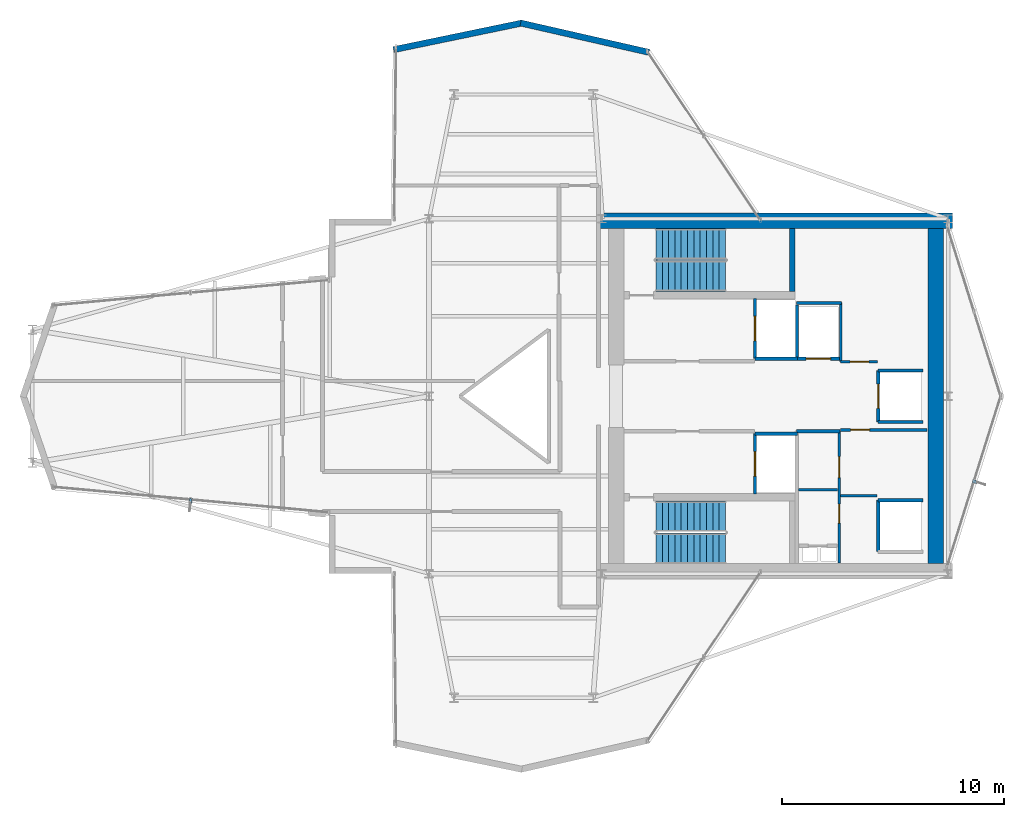
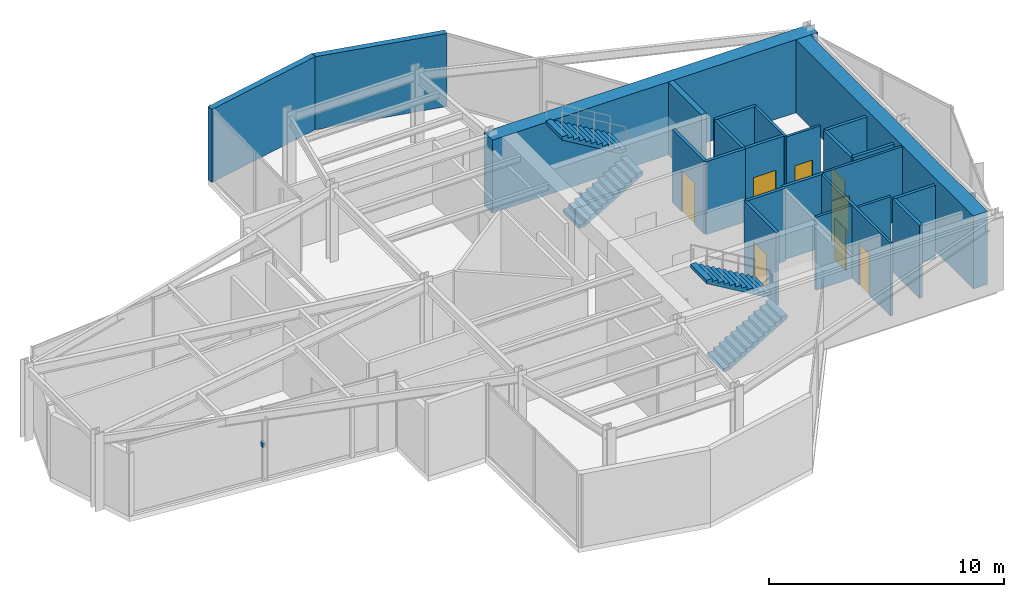
# One storey, part 21 of 22: 24 walls, 8 doors, 4 stair flights, 2 discrete accessories, 8 openings, 2 elements without a shape of their own.
"""IFC4 building model written with IfcOpenShell, lengths in metres."""

from ifc_helpers import new_model, si_unit, direction, frame, frame_2d, origin, origin_2d, place, context, subcontext, project, spatial, polyline, rectangle, outline, extrude, material, layer, layer_set, type_object, element, fill, aggregate, save


model = new_model("IFC4")

# Units and contexts
model_context = context("Model", 3, precision=1e-05, world=origin(), true_north=direction((0.0, 1.0)))
body_context = subcontext(model_context, "Body", "Model", "MODEL_VIEW")
ifc_project = project(units=[si_unit("LENGTHUNIT", "METRE"), si_unit("AREAUNIT", "SQUARE_METRE"), si_unit("VOLUMEUNIT", "CUBIC_METRE"), si_unit("PLANEANGLEUNIT", "RADIAN"), si_unit("MASSUNIT", "GRAM", prefix="KILO")], contexts=[model_context])

# Site, building, storey
site_placement = place(None, origin())
site = spatial("IfcSite", under=ifc_project, at=site_placement, CompositionType="ELEMENT")
building_placement = place(site_placement, origin())
building = spatial("IfcBuilding", under=site, at=building_placement, Name="Veymaron Broadcast Tower", CompositionType="ELEMENT")
storey_placement = place(building_placement, frame((0.0, 0.0, 204.0)))
storey = spatial("IfcBuildingStorey", under=building, at=storey_placement, Name="L47", CompositionType="ELEMENT", Elevation=204.0)

# Walls
ifc_material_1 = material(Name="Precast concrete C40/50", Category="concrete")
ifc_layer_1 = layer(ifc_material_1, 0.280029296875)
ifc_layer_set_1 = layer_set([ifc_layer_1], Name="Precast concrete C40/50")
wall_type_1 = type_object("IfcWallType", Name="WALL-EXT-280", PredefinedType="STANDARD", material=ifc_layer_set_1)
wall_1_placement = place(storey_placement, frame((41.11328125, 39.50341796875, 0.0), z_axis=(0.0, 0.0, 1.0), x_axis=(-0.974934808954, 0.222490715064, 0.0)))
element("IfcWall", 1, at=wall_1_placement, inside=storey, type_object=wall_type_1, Name="L47 notched corner facade pier 6-1", PredefinedType="STANDARD", context=body_context, shape_type="SweptSolid", body=[
    extrude(rectangle(XDim=5.93310546875, YDim=0.280029296875, at=frame_2d((2.966552734375, 0.0))), origin(), (0.0, 0.0, 1.0), 3.7900390625),
])
wall_2_placement = place(storey_placement, frame((35.388427734375, 40.822998046875, 0.0), z_axis=(0.0, 0.0, 1.0), x_axis=(-0.979145472124, -0.203160390873, 0.0)))
element("IfcWall", 2, at=wall_2_placement, inside=storey, type_object=wall_type_1, Name="L47 notched corner facade pier 7-1", PredefinedType="STANDARD", context=body_context, shape_type="SweptSolid", body=[
    extrude(rectangle(XDim=5.90771484375, YDim=0.280029296875, at=frame_2d((2.953857421875, 0.0))), origin(), (0.0, 0.0, 1.0), 3.7900390625),
])

# Wall, opening, door
ifc_material_2 = material(Name="Gypsum fireboard and steel stud framing", Category="steel")
ifc_layer_2 = layer(ifc_material_2, 0.14990234375)
ifc_layer_set_2 = layer_set([ifc_layer_2], Name="Gypsum fireboard and steel stud framing")
wall_type_2 = type_object("IfcWallType", Name="WALL-FIRE-150", PredefinedType="PARTITIONING", material=ifc_layer_set_2)
wall_3_placement = place(storey_placement, frame((45.89501953125, 25.68994140625, 0.0), z_axis=(0.0, 0.0, 1.0), x_axis=(0.0, 1.0, 0.0)))
wall_3 = element("IfcWall", 3, at=wall_3_placement, inside=storey, type_object=wall_type_2, Name="L47 partition IW-L47-SHW-FFL-1", PredefinedType="PARTITIONING", context=body_context, shape_type="SweptSolid", body=[
    extrude(rectangle(XDim=2.719970703125, YDim=0.14990234375, at=frame_2d((1.35986328125, 0.0))), origin(), (0.0, 0.0, 1.0), 3.7900390625),
])
opening_1_placement = place(wall_3_placement, frame((0.81005859375, 0.0, 0.0)))
opening_1 = element("IfcOpeningElement", 4, at=opening_1_placement, cuts=wall_3, Name="Opening LD", PredefinedType="OPENING", context=body_context, shape_type="SweptSolid", body=[
    extrude(rectangle(XDim=1.10009765625, YDim=2.14990234375, at=frame_2d((0.550048828125, 1.074951171875))), frame((0.0, 0.0849609375, 0.0), z_axis=(0.0, -1.0, 0.0), x_axis=(1.0, 0.0, 0.0)), (0.0, 0.0, 1.0), 0.169921875),
])
ifc_material_3 = material(Name="Brushed stainless steel AISI 304", Category="steel")
door_type_1 = type_object("IfcDoorType", Name="DOOR-LIFT-1100", OperationType="DOUBLE_DOOR_SLIDING", PredefinedType="DOOR", material=ifc_material_3)
door_1_placement = place(opening_1_placement, frame((1.10009765625, 0.0, 0.0), z_axis=(0.0, 0.0, 1.0), x_axis=(-1.0, 0.0, 0.0)))
door_1 = element("IfcDoor", 5, at=door_1_placement, inside=storey, type_object=door_type_1, Name="L47 door LD-L47-FFL-1", OperationType="DOUBLE_DOOR_SLIDING", OverallHeight=2.14990234375, OverallWidth=1.10009765625, PredefinedType="DOOR", context=body_context, shape_type="SweptSolid", body=[
    extrude(rectangle(XDim=1.10009765625, YDim=2.14990234375, at=frame_2d((0.550048828125, 1.074951171875))), frame((0.0, 0.02490234375, 0.0), z_axis=(0.0, -1.0, 0.0), x_axis=(1.0, 0.0, 0.0)), (0.0, 0.0, 1.0), 0.050048828125),
])
fill(opening_1, door_1)

# Wall
wall_4_placement = place(storey_placement, frame((45.89501953125, 25.68994140625, 0.0), z_axis=(0.0, 0.0, 1.0), x_axis=(1.0, 0.0, 0.0)))
element("IfcWall", 6, at=wall_4_placement, inside=storey, type_object=wall_type_2, Name="L47 partition IW-L47-SHS-FFL-1", PredefinedType="PARTITIONING", context=body_context, shape_type="SweptSolid", body=[
    extrude(rectangle(XDim=1.9150390625, YDim=0.14990234375, at=frame_2d((0.95751953125, 0.0))), origin(), (0.0, 0.0, 1.0), 3.7900390625),
])

# Wall, opening, door
wall_5_placement = place(storey_placement, frame((45.89501953125, 19.590087890625, 0.0), z_axis=(0.0, 0.0, 1.0), x_axis=(0.0, 1.0, 0.0)))
wall_5 = element("IfcWall", 7, at=wall_5_placement, inside=storey, type_object=wall_type_2, Name="L47 partition IW-L47-SHW-FFL-2", PredefinedType="PARTITIONING", context=body_context, shape_type="SweptSolid", body=[
    extrude(rectangle(XDim=2.719970703125, YDim=0.14990234375, at=frame_2d((1.35986328125, 0.0))), origin(), (0.0, 0.0, 1.0), 3.7900390625),
])
opening_2_placement = place(wall_5_placement, frame((0.81005859375, 0.0, 0.0)))
opening_2 = element("IfcOpeningElement", 8, at=opening_2_placement, cuts=wall_5, Name="Opening LD", PredefinedType="OPENING", context=body_context, shape_type="SweptSolid", body=[
    extrude(rectangle(XDim=1.10009765625, YDim=2.14990234375, at=frame_2d((0.550048828125, 1.074951171875))), frame((0.0, 0.0849609375, 0.0), z_axis=(0.0, -1.0, 0.0), x_axis=(1.0, 0.0, 0.0)), (0.0, 0.0, 1.0), 0.169921875),
])
door_2_placement = place(opening_2_placement, frame((1.10009765625, 0.0, 0.0), z_axis=(0.0, 0.0, 1.0), x_axis=(-1.0, 0.0, 0.0)))
door_2 = element("IfcDoor", 9, at=door_2_placement, inside=storey, type_object=door_type_1, Name="L47 door LD-L47-FFL-2", OperationType="DOUBLE_DOOR_SLIDING", OverallHeight=2.14990234375, OverallWidth=1.10009765625, PredefinedType="DOOR", context=body_context, shape_type="SweptSolid", body=[
    extrude(rectangle(XDim=1.10009765625, YDim=2.14990234375, at=frame_2d((0.550048828125, 1.074951171875))), frame((0.0, 0.02490234375, 0.0), z_axis=(0.0, -1.0, 0.0), x_axis=(1.0, 0.0, 0.0)), (0.0, 0.0, 1.0), 0.050048828125),
])
fill(opening_2, door_2)

# Wall
wall_6_placement = place(storey_placement, frame((45.89501953125, 22.31005859375, 0.0), z_axis=(0.0, 0.0, 1.0), x_axis=(1.0, 0.0, 0.0)))
element("IfcWall", 10, at=wall_6_placement, inside=storey, type_object=wall_type_2, Name="L47 partition IW-L47-SHN-FFL-2", PredefinedType="PARTITIONING", context=body_context, shape_type="SweptSolid", body=[
    extrude(rectangle(XDim=1.9150390625, YDim=0.14990234375, at=frame_2d((0.95751953125, 0.0))), origin(), (0.0, 0.0, 1.0), 3.7900390625),
])

# Wall, opening, door
wall_7_placement = place(storey_placement, frame((47.7900390625, 25.695068359375, 0.0), z_axis=(0.0, 0.0, 1.0), x_axis=(1.0, 0.0, 0.0)))
wall_7 = element("IfcWall", 11, at=wall_7_placement, inside=storey, type_object=wall_type_2, Name="L47 partition IW-L47-SHS-SL-1", PredefinedType="PARTITIONING", context=body_context, shape_type="SweptSolid", body=[
    extrude(rectangle(XDim=1.919921875, YDim=0.14990234375, at=frame_2d((0.9599609375, 0.0))), origin(), (0.0, 0.0, 1.0), 3.7900390625),
])
opening_3_placement = place(wall_7_placement, frame((0.409912109375, 0.0, 0.0)))
opening_3 = element("IfcOpeningElement", 12, at=opening_3_placement, cuts=wall_7, Name="Opening LD", PredefinedType="OPENING", context=body_context, shape_type="SweptSolid", body=[
    extrude(rectangle(XDim=1.10009765625, YDim=2.14990234375, at=frame_2d((0.550048828125, 1.074951171875))), frame((0.0, 0.0849609375, 0.0), z_axis=(0.0, -1.0, 0.0), x_axis=(1.0, 0.0, 0.0)), (0.0, 0.0, 1.0), 0.169921875),
])
door_3_placement = place(opening_3_placement, frame((1.10009765625, 0.0, 0.0), z_axis=(0.0, 0.0, 1.0), x_axis=(-1.0, 0.0, 0.0)))
door_3 = element("IfcDoor", 13, at=door_3_placement, inside=storey, type_object=door_type_1, Name="L47 door LD-L47-SL-1", OperationType="DOUBLE_DOOR_SLIDING", OverallHeight=2.14990234375, OverallWidth=1.10009765625, PredefinedType="DOOR", context=body_context, shape_type="SweptSolid", body=[
    extrude(rectangle(XDim=1.10009765625, YDim=2.14990234375, at=frame_2d((0.550048828125, 1.074951171875))), frame((0.0, 0.02490234375, 0.0), z_axis=(0.0, -1.0, 0.0), x_axis=(1.0, 0.0, 0.0)), (0.0, 0.0, 1.0), 0.050048828125),
])
fill(opening_3, door_3)

# Wall
wall_8_placement = place(storey_placement, frame((47.7900390625, 25.695068359375, 0.0), z_axis=(0.0, 0.0, 1.0), x_axis=(0.0, 1.0, 0.0)))
element("IfcWall", 14, at=wall_8_placement, inside=storey, type_object=wall_type_2, Name="L47 partition IW-L47-SHW-SL-1", PredefinedType="PARTITIONING", context=body_context, shape_type="SweptSolid", body=[
    extrude(rectangle(XDim=2.4150390625, YDim=0.14990234375, at=frame_2d((1.20751953125, 0.0))), origin(), (0.0, 0.0, 1.0), 3.7900390625),
])

# Wall, opening, door
wall_9_placement = place(storey_placement, frame((51.445068359375, 22.840087890625, 0.0), z_axis=(0.0, 0.0, 1.0), x_axis=(0.0, 1.0, 0.0)))
wall_9 = element("IfcWall", 15, at=wall_9_placement, inside=storey, type_object=wall_type_2, Name="L47 partition IW-L47-SHW-PM3", PredefinedType="PARTITIONING", context=body_context, shape_type="SweptSolid", body=[
    extrude(rectangle(XDim=2.31982421875, YDim=0.14990234375, at=frame_2d((1.159912109375, 0.0))), origin(), (0.0, 0.0, 1.0), 3.7900390625),
])
opening_4_placement = place(wall_9_placement, frame((0.610107421875, 0.0, 0.0)))
opening_4 = element("IfcOpeningElement", 16, at=opening_4_placement, cuts=wall_9, Name="Opening LD", PredefinedType="OPENING", context=body_context, shape_type="SweptSolid", body=[
    extrude(rectangle(XDim=1.10009765625, YDim=2.14990234375, at=frame_2d((0.550048828125, 1.074951171875))), frame((0.0, 0.0849609375, 0.0), z_axis=(0.0, -1.0, 0.0), x_axis=(1.0, 0.0, 0.0)), (0.0, 0.0, 1.0), 0.169921875),
])
door_4_placement = place(opening_4_placement, frame((1.10009765625, 0.0, 0.0), z_axis=(0.0, 0.0, 1.0), x_axis=(-1.0, 0.0, 0.0)))
door_4 = element("IfcDoor", 17, at=door_4_placement, inside=storey, type_object=door_type_1, Name="L47 door LD-L47-PM3", OperationType="DOUBLE_DOOR_SLIDING", OverallHeight=2.14990234375, OverallWidth=1.10009765625, PredefinedType="DOOR", context=body_context, shape_type="SweptSolid", body=[
    extrude(rectangle(XDim=1.10009765625, YDim=2.14990234375, at=frame_2d((0.550048828125, 1.074951171875))), frame((0.0, 0.02490234375, 0.0), z_axis=(0.0, -1.0, 0.0), x_axis=(1.0, 0.0, 0.0)), (0.0, 0.0, 1.0), 0.050048828125),
])
fill(opening_4, door_4)

# Walls
for number, where, z_axis, x_axis, name in (
    (18, (51.445068359375, 22.840087890625, 0.0), (0.0, 0.0, 1.0), (1.0, 0.0, 0.0), "L47 partition IW-L47-SHS-PM3"),
    (19, (51.445068359375, 25.159912109375, 0.0), (0.0, 0.0, 1.0), (1.0, 0.0, 0.0), "L47 partition IW-L47-SHN-PM3"),
):
    element("IfcWall", number, at=place(storey_placement, frame(where, z_axis=z_axis, x_axis=x_axis)), inside=storey, type_object=wall_type_2, Name=name, PredefinedType="PARTITIONING", context=body_context, shape_type="SweptSolid", body=[
        extrude(rectangle(XDim=2.014892578125, YDim=0.14990234375, at=frame_2d((1.00732421875, 0.0))), origin(), (0.0, 0.0, 1.0), 3.7900390625),
    ])
wall_10_placement = place(storey_placement, frame((51.445068359375, 16.989990234375, 0.0), z_axis=(0.0, 0.0, 1.0), x_axis=(0.0, 1.0, 0.0)))
element("IfcWall", 20, at=wall_10_placement, inside=storey, type_object=wall_type_2, Name="L47 partition IW-L47-SHW-PH1", PredefinedType="PARTITIONING", context=body_context, shape_type="SweptSolid", body=[
    extrude(rectangle(XDim=2.320068359375, YDim=0.14990234375, at=frame_2d((1.16015625, 0.0))), origin(), (0.0, 0.0, 1.0), 3.7900390625),
])
wall_11_placement = place(storey_placement, frame((51.445068359375, 19.31005859375, 0.0), z_axis=(0.0, 0.0, 1.0), x_axis=(1.0, 0.0, 0.0)))
element("IfcWall", 21, at=wall_11_placement, inside=storey, type_object=wall_type_2, Name="L47 partition IW-L47-SHN-PH1", PredefinedType="PARTITIONING", context=body_context, shape_type="SweptSolid", body=[
    extrude(rectangle(XDim=2.014892578125, YDim=0.14990234375, at=frame_2d((1.00732421875, 0.0))), origin(), (0.0, 0.0, 1.0), 3.7900390625),
])
wall_12_placement = place(storey_placement, frame((47.760009765625, 22.425048828125, 0.0), z_axis=(0.0, 0.0, 1.0), x_axis=(1.0, 0.0, 0.0)))
element("IfcWall", 22, at=wall_12_placement, inside=storey, type_object=wall_type_2, Name="L47 partition IW-L47-SM-N", PredefinedType="PARTITIONING", context=body_context, shape_type="SweptSolid", body=[
    extrude(rectangle(XDim=1.9599609375, YDim=0.14990234375, at=frame_2d((0.97998046875, 0.0))), origin(), (0.0, 0.0, 1.0), 3.7900390625),
])
wall_13_placement = place(storey_placement, frame((47.760009765625, 28.199951171875, 0.0), z_axis=(0.0, 0.0, 1.0), x_axis=(1.0, 0.0, 0.0)))
element("IfcWall", 23, at=wall_13_placement, inside=storey, type_object=wall_type_2, Name="L47 partition IW-L47-F2-SW", PredefinedType="PARTITIONING", context=body_context, shape_type="SweptSolid", body=[
    extrude(rectangle(XDim=2.0400390625, YDim=0.14990234375, at=frame_2d((1.02001953125, 0.0))), origin(), (0.0, 0.0, 1.0), 3.7900390625),
])
ifc_material_4 = material(Name="Acoustic gypsum board and galvanized stud", Category="gypsum")
ifc_layer_3 = layer(ifc_material_4, 0.1201171875)
ifc_layer_set_3 = layer_set([ifc_layer_3], Name="Acoustic gypsum board and galvanized stud")
wall_type_3 = type_object("IfcWallType", Name="WALL-PART-120", PredefinedType="PARTITIONING", material=ifc_layer_set_3)
wall_14_placement = place(storey_placement, frame((47.860107421875, 19.780029296875, 0.0), z_axis=(0.0, 0.0, 1.0), x_axis=(1.0, 0.0, 0.0)))
element("IfcWall", 24, at=wall_14_placement, inside=storey, type_object=wall_type_3, Name="L47 partition IW-L47-SM-DIV", PredefinedType="PARTITIONING", context=body_context, shape_type="SweptSolid", body=[
    extrude(rectangle(XDim=1.760009765625, YDim=0.1201171875, at=frame_2d((0.8798828125, 0.0))), origin(), (0.0, 0.0, 1.0), 3.7900390625),
])

# Wall, openings, doors
wall_15_placement = place(storey_placement, frame((49.699951171875, 16.47998046875, 0.0), z_axis=(0.0, 0.0, 1.0), x_axis=(0.0, 1.0, 0.0)))
wall_15 = element("IfcWall", 25, at=wall_15_placement, inside=storey, type_object=wall_type_3, Name="L47 partition IW-L47-SM-E", PredefinedType="PARTITIONING", context=body_context, shape_type="SweptSolid", body=[
    extrude(rectangle(XDim=5.945068359375, YDim=0.1201171875, at=frame_2d((2.97265625, 0.0))), origin(), (0.0, 0.0, 1.0), 3.7900390625),
])
opening_5_placement = place(wall_15_placement, frame((1.800048828125, 0.0, 0.0)))
opening_5 = element("IfcOpeningElement", 26, at=opening_5_placement, cuts=wall_15, Name="Opening ID-WC1", PredefinedType="OPENING", context=body_context, shape_type="SweptSolid", body=[
    extrude(rectangle(XDim=0.85009765625, YDim=2.14990234375, at=frame_2d((0.425048828125, 1.074951171875))), frame((0.0, 0.070068359375, 0.0), z_axis=(0.0, -1.0, 0.0), x_axis=(1.0, 0.0, 0.0)), (0.0, 0.0, 1.0), 0.14013671875),
])
opening_6_placement = place(wall_15_placement, frame((3.85009765625, 0.0, 0.0)))
opening_6 = element("IfcOpeningElement", 27, at=opening_6_placement, cuts=wall_15, Name="Opening ID-RM1", PredefinedType="OPENING", context=body_context, shape_type="SweptSolid", body=[
    extrude(rectangle(XDim=0.949951171875, YDim=2.14990234375, at=frame_2d((0.47509765625, 1.074951171875))), frame((0.0, 0.070068359375, 0.0), z_axis=(0.0, -1.0, 0.0), x_axis=(1.0, 0.0, 0.0)), (0.0, 0.0, 1.0), 0.14013671875),
])
ifc_material_5 = material(Name="Moisture-resistant high-pressure laminate timber", Category="wood")
door_type_2 = type_object("IfcDoorType", Name="DOOR-INT-850", OperationType="NOTDEFINED", PredefinedType="DOOR", material=ifc_material_5)
door_5_placement = place(opening_5_placement, frame((0.85009765625, 0.0, 0.0), z_axis=(0.0, 0.0, 1.0), x_axis=(-1.0, 0.0, 0.0)))
door_5 = element("IfcDoor", 28, at=door_5_placement, inside=storey, type_object=door_type_2, Name="L47 door DR-L47-SWC", OperationType="SINGLE_SWING_LEFT", OverallHeight=2.14990234375, OverallWidth=0.85009765625, PredefinedType="DOOR", context=body_context, shape_type="SweptSolid", body=[
    extrude(rectangle(XDim=0.85009765625, YDim=2.14990234375, at=frame_2d((0.425048828125, 1.074951171875))), frame((0.0, 0.02490234375, 0.0), z_axis=(0.0, -1.0, 0.0), x_axis=(1.0, 0.0, 0.0)), (0.0, 0.0, 1.0), 0.050048828125),
])
fill(opening_5, door_5)
ifc_material_6 = material(Name="Acoustic solid-core European oak veneer timber", Category="wood")
door_type_3 = type_object("IfcDoorType", Name="DOOR-INT-950", OperationType="NOTDEFINED", PredefinedType="DOOR", material=ifc_material_6)
door_6_placement = place(opening_6_placement, frame((0.949951171875, 0.0, 0.0), z_axis=(0.0, 0.0, 1.0), x_axis=(-1.0, 0.0, 0.0)))
door_6 = element("IfcDoor", 29, at=door_6_placement, inside=storey, type_object=door_type_3, Name="L47 door DR-L47-AWC", OperationType="SINGLE_SWING_RIGHT", OverallHeight=2.14990234375, OverallWidth=0.949951171875, PredefinedType="DOOR", context=body_context, shape_type="SweptSolid", body=[
    extrude(rectangle(XDim=0.949951171875, YDim=2.14990234375, at=frame_2d((0.47509765625, 1.074951171875))), frame((0.0, 0.02490234375, 0.0), z_axis=(0.0, -1.0, 0.0), x_axis=(1.0, 0.0, 0.0)), (0.0, 0.0, 1.0), 0.050048828125),
])
fill(opening_6, door_6)

# Wall, opening, door
wall_16_placement = place(storey_placement, frame((49.760009765625, 22.47998046875, 0.0), z_axis=(0.0, 0.0, 1.0), x_axis=(1.0, 0.0, 0.0)))
wall_16 = element("IfcWall", 30, at=wall_16_placement, inside=storey, type_object=wall_type_3, Name="L47 partition IW-L47-F2S-N", PredefinedType="PARTITIONING", context=body_context, shape_type="SweptSolid", body=[
    extrude(rectangle(XDim=3.89990234375, YDim=0.1201171875, at=frame_2d((1.949951171875, 0.0))), origin(), (0.0, 0.0, 1.0), 3.7900390625),
])
opening_7_placement = place(wall_16_placement, frame((0.449951171875, 0.0, 0.0)))
opening_7 = element("IfcOpeningElement", 31, at=opening_7_placement, cuts=wall_16, Name="Opening ID-WC1", PredefinedType="OPENING", context=body_context, shape_type="SweptSolid", body=[
    extrude(rectangle(XDim=0.85009765625, YDim=2.14990234375, at=frame_2d((0.425048828125, 1.074951171875))), frame((0.0, 0.070068359375, 0.0), z_axis=(0.0, -1.0, 0.0), x_axis=(1.0, 0.0, 0.0)), (0.0, 0.0, 1.0), 0.14013671875),
])
door_7_placement = place(opening_7_placement, frame((0.85009765625, 0.0, 0.0), z_axis=(0.0, 0.0, 1.0), x_axis=(-1.0, 0.0, 0.0)))
door_7 = element("IfcDoor", 32, at=door_7_placement, inside=storey, type_object=door_type_2, Name="L47 door DR-L47-F2S", OperationType="SINGLE_SWING_LEFT", OverallHeight=2.14990234375, OverallWidth=0.85009765625, PredefinedType="DOOR", context=body_context, shape_type="SweptSolid", body=[
    extrude(rectangle(XDim=0.85009765625, YDim=2.14990234375, at=frame_2d((0.425048828125, 1.074951171875))), frame((0.0, 0.02490234375, 0.0), z_axis=(0.0, -1.0, 0.0), x_axis=(1.0, 0.0, 0.0)), (0.0, 0.0, 1.0), 0.050048828125),
])
fill(opening_7, door_7)

# Walls
wall_17_placement = place(storey_placement, frame((49.760009765625, 19.52001953125, 0.0), z_axis=(0.0, 0.0, 1.0), x_axis=(1.0, 0.0, 0.0)))
element("IfcWall", 33, at=wall_17_placement, inside=storey, type_object=wall_type_3, Name="L47 partition IW-L47-F2S-S", PredefinedType="PARTITIONING", context=body_context, shape_type="SweptSolid", body=[
    extrude(rectangle(XDim=1.639892578125, YDim=0.1201171875, at=frame_2d((0.81982421875, 0.0))), origin(), (0.0, 0.0, 1.0), 3.7900390625),
])
wall_18_placement = place(storey_placement, frame((49.760009765625, 25.56005859375, 0.0), z_axis=(0.0, 0.0, 1.0), x_axis=(0.0, 1.0, 0.0)))
element("IfcWall", 34, at=wall_18_placement, inside=storey, type_object=wall_type_3, Name="L47 partition IW-L47-F2-W1", PredefinedType="PARTITIONING", context=body_context, shape_type="SweptSolid", body=[
    extrude(rectangle(XDim=2.659912109375, YDim=0.1201171875, at=frame_2d((1.330078125, 0.0))), origin(), (0.0, 0.0, 1.0), 3.7900390625),
])

# Wall, opening, door
wall_19_placement = place(storey_placement, frame((49.760009765625, 25.56005859375, 0.0), z_axis=(0.0, 0.0, 1.0), x_axis=(1.0, 0.0, 0.0)))
wall_19 = element("IfcWall", 35, at=wall_19_placement, inside=storey, type_object=wall_type_3, Name="L47 partition IW-L47-F2-S", PredefinedType="PARTITIONING", context=body_context, shape_type="SweptSolid", body=[
    extrude(rectangle(XDim=1.659912109375, YDim=0.1201171875, at=frame_2d((0.830078125, 0.0))), origin(), (0.0, 0.0, 1.0), 3.7900390625),
])
opening_8_placement = place(wall_19_placement, frame((0.419921875, 0.0, 0.0)))
opening_8 = element("IfcOpeningElement", 36, at=opening_8_placement, cuts=wall_19, Name="Opening ID-WC1", PredefinedType="OPENING", context=body_context, shape_type="SweptSolid", body=[
    extrude(rectangle(XDim=0.85009765625, YDim=2.14990234375, at=frame_2d((0.425048828125, 1.074951171875))), frame((0.0, 0.070068359375, 0.0), z_axis=(0.0, -1.0, 0.0), x_axis=(1.0, 0.0, 0.0)), (0.0, 0.0, 1.0), 0.14013671875),
])
door_8_placement = place(opening_8_placement, origin())
door_8 = element("IfcDoor", 37, at=door_8_placement, inside=storey, type_object=door_type_2, Name="L47 door DR-L47-F2A", OperationType="SINGLE_SWING_LEFT", OverallHeight=2.14990234375, OverallWidth=0.85009765625, PredefinedType="DOOR", context=body_context, shape_type="SweptSolid", body=[
    extrude(rectangle(XDim=0.85009765625, YDim=2.14990234375, at=frame_2d((0.425048828125, 1.074951171875))), frame((0.0, 0.02490234375, 0.0), z_axis=(0.0, -1.0, 0.0), x_axis=(1.0, 0.0, 0.0)), (0.0, 0.0, 1.0), 0.050048828125),
])
fill(opening_8, door_8)

# Walls
ifc_material_7 = material(Name="Concrete C50/60", Category="concrete")
ifc_layer_4 = layer(ifc_material_7, 0.25)
ifc_layer_set_4 = layer_set([ifc_layer_4], Name="Concrete C50/60")
wall_type_4 = type_object("IfcWallType", Name="WALL-SHEAR-250", PredefinedType="SHEAR", material=ifc_layer_set_4)
wall_20_placement = place(storey_placement, frame((47.56494140625, 28.72998046875, 0.0), z_axis=(0.0, 0.0, 1.0), x_axis=(0.0, 1.0, 0.0)))
element("IfcWall", 38, at=wall_20_placement, inside=storey, type_object=wall_type_4, Name="L47 Core Wall north stair east shear", PredefinedType="SHEAR", context=body_context, shape_type="SweptSolid", body=[
    extrude(rectangle(XDim=2.820068359375, YDim=0.25, at=frame_2d((1.41015625, 0.0))), origin(), (0.0, 0.0, 1.0), 3.7900390625),
])
ifc_material_8 = material(Name="Concrete C60/75", Category="concrete")
ifc_layer_5 = layer(ifc_material_8, 0.699951171875)
ifc_layer_set_5 = layer_set([ifc_layer_5], Name="Concrete C60/75")
wall_type_5 = type_object("IfcWallType", Name="WALL-SHEAR-700", PredefinedType="SHEAR", material=ifc_layer_set_5)
wall_21_placement = place(storey_placement, frame((38.800048828125, 31.89990234375, 0.0), z_axis=(0.0, 0.0, 1.0), x_axis=(1.0, 0.0, 0.0)))
element("IfcWall", 39, at=wall_21_placement, inside=storey, type_object=wall_type_5, Name="L47 Core Wall north shear", PredefinedType="SHEAR", context=body_context, shape_type="SweptSolid", body=[
    extrude(rectangle(XDim=16.0, YDim=0.699951171875, at=frame_2d((8.0, 0.0))), origin(), (0.0, 0.0, 1.0), 3.7900390625),
])
wall_22_placement = place(storey_placement, frame((54.050048828125, 16.449951171875, 0.0), z_axis=(0.0, 0.0, 1.0), x_axis=(0.0, 1.0, 0.0)))
element("IfcWall", 40, at=wall_22_placement, inside=storey, type_object=wall_type_5, Name="L47 Core Wall east shear", PredefinedType="SHEAR", context=body_context, shape_type="SweptSolid", body=[
    extrude(rectangle(XDim=15.10009765625, YDim=0.699951171875, at=frame_2d((7.550048828125, 0.0))), origin(), (0.0, 0.0, 1.0), 3.7900390625),
])

# Stair, stair flights
stair_type_1 = type_object("IfcStairType", Name="STAIR-CORE-1", PredefinedType="HALF_TURN_STAIR", material=ifc_material_7)
stair_1_placement = place(storey_placement, origin())
stair_1 = element("IfcStair", 41, at=stair_1_placement, inside=storey, type_object=stair_type_1, Name="L47 North protected dog-leg exit stair ST1", PredefinedType="HALF_TURN_STAIR")
ifc_material_9 = material(Name="Precast concrete C50/60", Category="concrete")
stair_flight_type = type_object("IfcStairFlightType", Name="FLT-CORE-RC", PredefinedType="STRAIGHT", material=ifc_material_9)
stair_flight_1_placement = place(storey_placement, frame((41.429931640625, 29.419921875, 0.0), z_axis=(0.0, 0.0, 1.0), x_axis=(1.0, 0.0, 0.0)))
stair_flight_1 = element("IfcStairFlight", 42, at=stair_flight_1_placement, type_object=stair_flight_type, Name="ST1 flight 1", NumberOfRisers=12, NumberOfTreads=11, PredefinedType="STRAIGHT", RiserHeight=0.16875, TreadLength=0.285, context=body_context, shape_type="SweptSolid", body=[
    extrude(outline(polyline([(0.0, 0.0), (0.0, 0.168701171875), (0.284912109375, 0.168701171875), (0.284912109375, 0.33740234375), (0.570068359375, 0.33740234375), (0.570068359375, 0.50634765625), (0.85498046875, 0.50634765625), (0.85498046875, 0.675048828125), (1.139892578125, 0.675048828125), (1.139892578125, 0.84375), (1.425048828125, 0.84375), (1.425048828125, 1.012451171875), (1.7099609375, 1.012451171875), (1.7099609375, 1.18115234375), (1.9951171875, 1.18115234375), (1.9951171875, 1.35009765625), (2.280029296875, 1.35009765625), (2.280029296875, 1.518798828125), (2.56494140625, 1.518798828125), (2.56494140625, 1.6875), (2.85009765625, 1.6875), (2.85009765625, 1.856201171875), (3.135009765625, 1.856201171875), (3.135009765625, 2.02490234375), (3.135009765625, 1.68212890625), (0.294189453125, 0.0), (0.0, 0.0)])), frame((0.0, 0.68994140625, 0.0), z_axis=(0.0, -1.0, 0.0), x_axis=(1.0, 0.0, 0.0)), (0.0, 0.0, 1.0), 1.3798828125),
])
stair_flight_2_placement = place(storey_placement, frame((44.56494140625, 30.860107421875, 2.02490234375), z_axis=(0.0, 0.0, 1.0), x_axis=(-1.0, 0.0, 0.0)))
stair_flight_2 = element("IfcStairFlight", 43, at=stair_flight_2_placement, type_object=stair_flight_type, Name="ST1 flight 2", NumberOfRisers=12, NumberOfTreads=11, PredefinedType="STRAIGHT", RiserHeight=0.16875, TreadLength=0.285, context=body_context, shape_type="SweptSolid", body=[
    extrude(outline(polyline([(0.0, 0.0), (0.0, 0.168701171875), (0.284912109375, 0.168701171875), (0.284912109375, 0.33740234375), (0.570068359375, 0.33740234375), (0.570068359375, 0.50634765625), (0.85498046875, 0.50634765625), (0.85498046875, 0.675048828125), (1.139892578125, 0.675048828125), (1.139892578125, 0.84375), (1.425048828125, 0.84375), (1.425048828125, 1.012451171875), (1.7099609375, 1.012451171875), (1.7099609375, 1.18115234375), (1.9951171875, 1.18115234375), (1.9951171875, 1.35009765625), (2.280029296875, 1.35009765625), (2.280029296875, 1.518798828125), (2.56494140625, 1.518798828125), (2.56494140625, 1.6875), (2.85009765625, 1.6875), (2.85009765625, 1.856201171875), (3.135009765625, 1.856201171875), (3.135009765625, 2.02490234375), (3.135009765625, 1.68212890625), (0.294189453125, 0.0), (0.0, 0.0)])), frame((0.0, 0.68994140625, 0.0), z_axis=(0.0, -1.0, 0.0), x_axis=(1.0, 0.0, 0.0)), (0.0, 0.0, 1.0), 1.3798828125),
])
aggregate(stair_1, [stair_flight_1, stair_flight_2])

stair_type_2 = type_object("IfcStairType", Name="STAIR-CORE-2", PredefinedType="HALF_TURN_STAIR", material=ifc_material_7)
stair_2_placement = place(storey_placement, origin())
stair_2 = element("IfcStair", 44, at=stair_2_placement, inside=storey, type_object=stair_type_2, Name="L47 South protected dog-leg exit stair ST2", PredefinedType="HALF_TURN_STAIR")
stair_flight_3_placement = place(storey_placement, frame((41.429931640625, 17.139892578125, 0.0), z_axis=(0.0, 0.0, 1.0), x_axis=(1.0, 0.0, 0.0)))
stair_flight_3 = element("IfcStairFlight", 45, at=stair_flight_3_placement, type_object=stair_flight_type, Name="ST2 flight 1", NumberOfRisers=12, NumberOfTreads=11, PredefinedType="STRAIGHT", RiserHeight=0.16875, TreadLength=0.285, context=body_context, shape_type="SweptSolid", body=[
    extrude(outline(polyline([(0.0, 0.0), (0.0, 0.168701171875), (0.284912109375, 0.168701171875), (0.284912109375, 0.33740234375), (0.570068359375, 0.33740234375), (0.570068359375, 0.50634765625), (0.85498046875, 0.50634765625), (0.85498046875, 0.675048828125), (1.139892578125, 0.675048828125), (1.139892578125, 0.84375), (1.425048828125, 0.84375), (1.425048828125, 1.012451171875), (1.7099609375, 1.012451171875), (1.7099609375, 1.18115234375), (1.9951171875, 1.18115234375), (1.9951171875, 1.35009765625), (2.280029296875, 1.35009765625), (2.280029296875, 1.518798828125), (2.56494140625, 1.518798828125), (2.56494140625, 1.6875), (2.85009765625, 1.6875), (2.85009765625, 1.856201171875), (3.135009765625, 1.856201171875), (3.135009765625, 2.02490234375), (3.135009765625, 1.68212890625), (0.294189453125, 0.0), (0.0, 0.0)])), frame((0.0, 0.68994140625, 0.0), z_axis=(0.0, -1.0, 0.0), x_axis=(1.0, 0.0, 0.0)), (0.0, 0.0, 1.0), 1.3798828125),
])
stair_flight_4_placement = place(storey_placement, frame((44.56494140625, 18.580078125, 2.02490234375), z_axis=(0.0, 0.0, 1.0), x_axis=(-1.0, 0.0, 0.0)))
stair_flight_4 = element("IfcStairFlight", 46, at=stair_flight_4_placement, type_object=stair_flight_type, Name="ST2 flight 2", NumberOfRisers=12, NumberOfTreads=11, PredefinedType="STRAIGHT", RiserHeight=0.16875, TreadLength=0.285, context=body_context, shape_type="SweptSolid", body=[
    extrude(outline(polyline([(0.0, 0.0), (0.0, 0.168701171875), (0.284912109375, 0.168701171875), (0.284912109375, 0.33740234375), (0.570068359375, 0.33740234375), (0.570068359375, 0.50634765625), (0.85498046875, 0.50634765625), (0.85498046875, 0.675048828125), (1.139892578125, 0.675048828125), (1.139892578125, 0.84375), (1.425048828125, 0.84375), (1.425048828125, 1.012451171875), (1.7099609375, 1.012451171875), (1.7099609375, 1.18115234375), (1.9951171875, 1.18115234375), (1.9951171875, 1.35009765625), (2.280029296875, 1.35009765625), (2.280029296875, 1.518798828125), (2.56494140625, 1.518798828125), (2.56494140625, 1.6875), (2.85009765625, 1.6875), (2.85009765625, 1.856201171875), (3.135009765625, 1.856201171875), (3.135009765625, 2.02490234375), (3.135009765625, 1.68212890625), (0.294189453125, 0.0), (0.0, 0.0)])), frame((0.0, 0.68994140625, 0.0), z_axis=(0.0, -1.0, 0.0), x_axis=(1.0, 0.0, 0.0)), (0.0, 0.0, 1.0), 1.3798828125),
])
aggregate(stair_2, [stair_flight_3, stair_flight_4])

# Discrete accessories
ifc_material_10 = material(Name="Austenitic stainless steel AISI 316L", Category="steel")
ifc_layer_6 = layer(ifc_material_10, 0.1201171875)
ifc_layer_set_6 = layer_set([ifc_layer_6], Name="Austenitic stainless steel AISI 316L")
discrete_accessory_type = type_object("IfcDiscreteAccessoryType", Name="ACC-BRKT-SS1", PredefinedType="BRACKET", material=ifc_layer_set_6)
for number, where, z_axis, x_axis, name in (
    (47, (55.822021484375, 20.146240234375, 1.78515625), (0.0, 0.0, 1.0), (0.953795642658, -0.300456106688, 0.0), "CW-L47-E2-1 fin bracket 1"),
    (48, (20.447509765625, 19.27734375, 1.78515625), (0.0, 0.0, 1.0), (-0.091797075901, -0.995777734666, 0.0), "CW-L47-E14-1 fin bracket 1"),
):
    element("IfcDiscreteAccessory", number, at=place(storey_placement, frame(where, z_axis=z_axis, x_axis=x_axis)), inside=storey, type_object=discrete_accessory_type, Name=name, PredefinedType="BRACKET", context=body_context, shape_type="SweptSolid", body=[
        extrude(rectangle(XDim=0.219970703125, YDim=0.139892578125, at=origin_2d()), origin(), (0.0, 0.0, 1.0), 0.219970703125),
    ])

save(model, "model.ifc")
